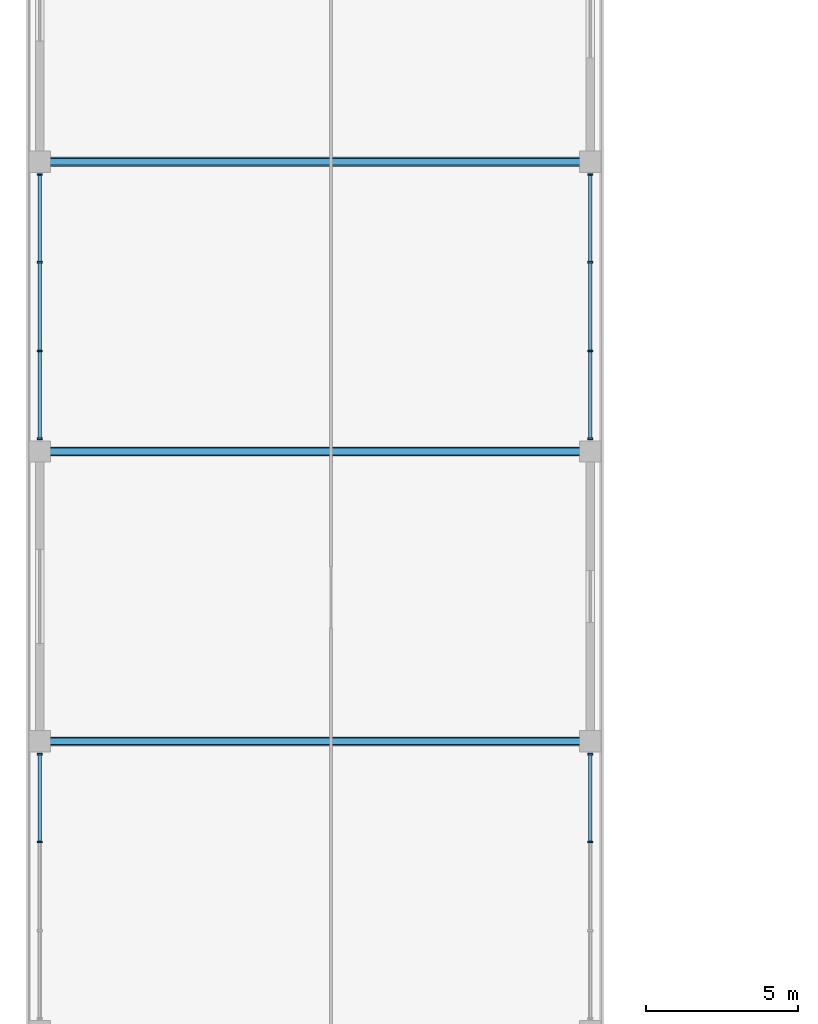
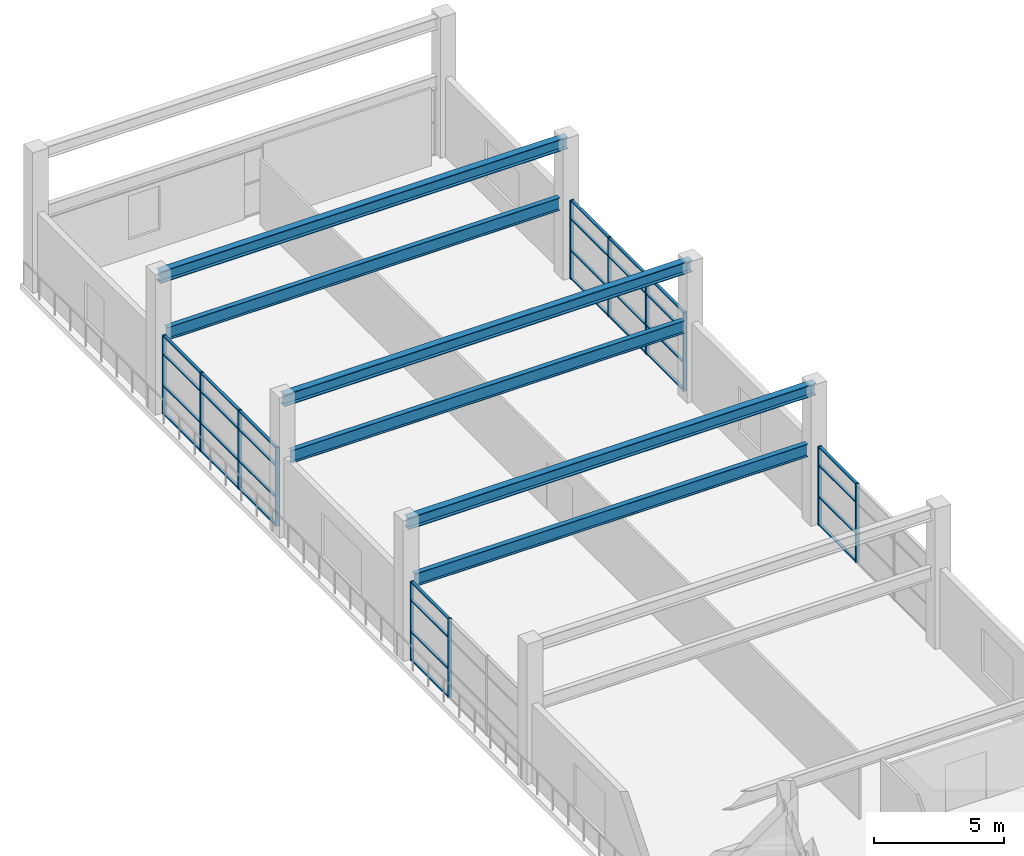
# One storey, part 33 of 72: 44 members, 6 beams, 4 elements without a shape of their own.
"""IFC4 building model written with IfcOpenShell, lengths in metres."""

from ifc_helpers import new_model, si_unit, direction, frame, origin, origin_2d, place, context, subcontext, project, spatial, rectangle, i_section, extrude, material, material_profile, profile_set, type_object, element, aggregate, save


model = new_model("IFC4")

# Units and contexts
model_context = context("Model", 3, precision=1e-05, world=origin(), true_north=direction((0.0, 1.0)))
body_context = subcontext(model_context, "Body", "Model", "MODEL_VIEW")
ifc_project = project(units=[si_unit("LENGTHUNIT", "METRE"), si_unit("AREAUNIT", "SQUARE_METRE"), si_unit("VOLUMEUNIT", "CUBIC_METRE"), si_unit("PLANEANGLEUNIT", "RADIAN"), si_unit("MASSUNIT", "GRAM", prefix="KILO")], contexts=[model_context])

# Site, building, storey
site_placement = place(None, origin())
site = spatial("IfcSite", under=ifc_project, at=site_placement, CompositionType="ELEMENT")
building_placement = place(site_placement, origin())
building = spatial("IfcBuilding", under=site, at=building_placement, Name="Saryqyr Civic Hall", CompositionType="ELEMENT")
storey_placement = place(building_placement, frame((0.0, 0.0, 17.25)))
storey = spatial("IfcBuildingStorey", under=building, at=storey_placement, Name="L04", CompositionType="ELEMENT", Elevation=17.25)

# Curtain wall, members
ifc_material_1 = material(Name="Anodised aluminium and triple low-E glass", Category="aluminium")
curtain_wall_type = type_object("IfcCurtainWallType", Name="ENV-CW-STD-55", PredefinedType="NOTDEFINED", material=ifc_material_1)
curtain_wall_1_placement = place(storey_placement, origin())
curtain_wall_1 = element("IfcCurtainWall", 1, at=curtain_wall_1_placement, inside=storey, type_object=curtain_wall_type, Name="Curtain wall V3-CW-L04-1-1", PredefinedType="NOTDEFINED")
ifc_material_2 = material(Name="Anodised aluminium", Category="aluminium")
ifc_material_profile_1 = material_profile(ifc_material_2, rectangle(XDim=0.06005859375, YDim=0.159912109375, at=origin_2d()), Name="ALU MULLION 60x160")
ifc_profile_set_1 = profile_set([ifc_material_profile_1], Name="Anodised aluminium")
member_type_1 = type_object("IfcMemberType", Name="ENV-CW-MUL-180", PredefinedType="MULLION", material=ifc_profile_set_1)
member_1_placement = place(storey_placement, frame((26.14990234375, 155.300048828125, 0.0), z_axis=(0.0, 0.0, 1.0), x_axis=(0.0, -1.0, 0.0)))
member_1 = element("IfcMember", 2, at=member_1_placement, type_object=member_type_1, Name="CW-55 mullion 1", PredefinedType="MULLION", context=body_context, shape_type="SweptSolid", body=[
    extrude(rectangle(XDim=0.06005859375, YDim=0.159912109375, at=origin_2d()), origin(), (0.0, 0.0, 1.0), 3.699951171875),
])
member_2_placement = place(storey_placement, frame((26.14990234375, 152.413330078125, 0.0), z_axis=(0.0, 0.0, 1.0), x_axis=(0.0, -1.0, 0.0)))
member_2 = element("IfcMember", 3, at=member_2_placement, type_object=member_type_1, Name="CW-55 mullion 2", PredefinedType="MULLION", context=body_context, shape_type="SweptSolid", body=[
    extrude(rectangle(XDim=0.06005859375, YDim=0.159912109375, at=origin_2d()), origin(), (0.0, 0.0, 1.0), 3.699951171875),
])
member_3_placement = place(storey_placement, frame((26.14990234375, 149.49658203125, 0.0), z_axis=(0.0, 0.0, 1.0), x_axis=(0.0, -1.0, 0.0)))
member_3 = element("IfcMember", 4, at=member_3_placement, type_object=member_type_1, Name="CW-55 mullion 3", PredefinedType="MULLION", context=body_context, shape_type="SweptSolid", body=[
    extrude(rectangle(XDim=0.06005859375, YDim=0.159912109375, at=origin_2d()), origin(), (0.0, 0.0, 1.0), 3.699951171875),
])
member_4_placement = place(storey_placement, frame((26.14990234375, 146.610107421875, 0.0), z_axis=(0.0, 0.0, 1.0), x_axis=(0.0, -1.0, 0.0)))
member_4 = element("IfcMember", 5, at=member_4_placement, type_object=member_type_1, Name="CW-55 mullion 4", PredefinedType="MULLION", context=body_context, shape_type="SweptSolid", body=[
    extrude(rectangle(XDim=0.06005859375, YDim=0.159912109375, at=origin_2d()), origin(), (0.0, 0.0, 1.0), 3.699951171875),
])

curtain_wall_2_placement = place(storey_placement, origin())
curtain_wall_2 = element("IfcCurtainWall", 6, at=curtain_wall_2_placement, inside=storey, type_object=curtain_wall_type, Name="Curtain wall V3-CW-L04-1-3", PredefinedType="NOTDEFINED")
member_5_placement = place(storey_placement, frame((26.14990234375, 136.239990234375, 0.0), z_axis=(0.0, 0.0, 1.0), x_axis=(0.0, -1.0, 0.0)))
member_5 = element("IfcMember", 7, at=member_5_placement, type_object=member_type_1, Name="CW-55 mullion 1", PredefinedType="MULLION", context=body_context, shape_type="SweptSolid", body=[
    extrude(rectangle(XDim=0.06005859375, YDim=0.159912109375, at=origin_2d()), origin(), (0.0, 0.0, 1.0), 3.699951171875),
])
member_6_placement = place(storey_placement, frame((26.14990234375, 133.353271484375, 0.0), z_axis=(0.0, 0.0, 1.0), x_axis=(0.0, -1.0, 0.0)))
member_6 = element("IfcMember", 8, at=member_6_placement, type_object=member_type_1, Name="CW-55 mullion 2", PredefinedType="MULLION", context=body_context, shape_type="SweptSolid", body=[
    extrude(rectangle(XDim=0.06005859375, YDim=0.159912109375, at=origin_2d()), origin(), (0.0, 0.0, 1.0), 3.699951171875),
])

curtain_wall_3_placement = place(storey_placement, origin())
curtain_wall_3 = element("IfcCurtainWall", 9, at=curtain_wall_3_placement, inside=storey, type_object=curtain_wall_type, Name="Curtain wall V3-CW-L04-3-3", PredefinedType="NOTDEFINED")
member_7_placement = place(storey_placement, frame((8.050048828125, 133.353271484375, 0.0), z_axis=(0.0, 0.0, 1.0), x_axis=(0.0, 1.0, 0.0)))
member_7 = element("IfcMember", 10, at=member_7_placement, type_object=member_type_1, Name="CW-55 mullion 3", PredefinedType="MULLION", context=body_context, shape_type="SweptSolid", body=[
    extrude(rectangle(XDim=0.06005859375, YDim=0.159912109375, at=origin_2d()), origin(), (0.0, 0.0, 1.0), 3.699951171875),
])
member_8_placement = place(storey_placement, frame((8.050048828125, 136.239990234375, 0.0), z_axis=(0.0, 0.0, 1.0), x_axis=(0.0, 1.0, 0.0)))
member_8 = element("IfcMember", 11, at=member_8_placement, type_object=member_type_1, Name="CW-55 mullion 4", PredefinedType="MULLION", context=body_context, shape_type="SweptSolid", body=[
    extrude(rectangle(XDim=0.06005859375, YDim=0.159912109375, at=origin_2d()), origin(), (0.0, 0.0, 1.0), 3.699951171875),
])

curtain_wall_4_placement = place(storey_placement, origin())
curtain_wall_4 = element("IfcCurtainWall", 12, at=curtain_wall_4_placement, inside=storey, type_object=curtain_wall_type, Name="Curtain wall V3-CW-L04-3-5", PredefinedType="NOTDEFINED")
member_9_placement = place(storey_placement, frame((8.050048828125, 146.610107421875, 0.0), z_axis=(0.0, 0.0, 1.0), x_axis=(0.0, 1.0, 0.0)))
member_9 = element("IfcMember", 13, at=member_9_placement, type_object=member_type_1, Name="CW-55 mullion 1", PredefinedType="MULLION", context=body_context, shape_type="SweptSolid", body=[
    extrude(rectangle(XDim=0.06005859375, YDim=0.159912109375, at=origin_2d()), origin(), (0.0, 0.0, 1.0), 3.699951171875),
])
member_10_placement = place(storey_placement, frame((8.050048828125, 149.49658203125, 0.0), z_axis=(0.0, 0.0, 1.0), x_axis=(0.0, 1.0, 0.0)))
member_10 = element("IfcMember", 14, at=member_10_placement, type_object=member_type_1, Name="CW-55 mullion 2", PredefinedType="MULLION", context=body_context, shape_type="SweptSolid", body=[
    extrude(rectangle(XDim=0.06005859375, YDim=0.159912109375, at=origin_2d()), origin(), (0.0, 0.0, 1.0), 3.699951171875),
])
member_11_placement = place(storey_placement, frame((8.050048828125, 152.413330078125, 0.0), z_axis=(0.0, 0.0, 1.0), x_axis=(0.0, 1.0, 0.0)))
member_11 = element("IfcMember", 15, at=member_11_placement, type_object=member_type_1, Name="CW-55 mullion 3", PredefinedType="MULLION", context=body_context, shape_type="SweptSolid", body=[
    extrude(rectangle(XDim=0.06005859375, YDim=0.159912109375, at=origin_2d()), origin(), (0.0, 0.0, 1.0), 3.699951171875),
])
member_12_placement = place(storey_placement, frame((8.050048828125, 155.300048828125, 0.0), z_axis=(0.0, 0.0, 1.0), x_axis=(0.0, 1.0, 0.0)))
member_12 = element("IfcMember", 16, at=member_12_placement, type_object=member_type_1, Name="CW-55 mullion 4", PredefinedType="MULLION", context=body_context, shape_type="SweptSolid", body=[
    extrude(rectangle(XDim=0.06005859375, YDim=0.159912109375, at=origin_2d()), origin(), (0.0, 0.0, 1.0), 3.699951171875),
])

# Member
ifc_material_profile_2 = material_profile(ifc_material_2, rectangle(XDim=0.1201171875, YDim=0.06005859375, at=origin_2d()), Name="ALU TRANSOM 120x60")
ifc_profile_set_2 = profile_set([ifc_material_profile_2], Name="Anodised aluminium")
member_type_2 = type_object("IfcMemberType", Name="ENV-CW-TRN-150", PredefinedType="USERDEFINED", material=ifc_profile_set_2)
member_13_placement = place(storey_placement, frame((26.14990234375, 155.27001953125, 0.030029296875), z_axis=(0.0, -1.0, 0.0), x_axis=(1.0, 0.0, 0.0)))
member_13 = element("IfcMember", 17, at=member_13_placement, type_object=member_type_2, Name="CW-55 transom 1.1", ObjectType="TRANSOM", PredefinedType="USERDEFINED", context=body_context, shape_type="SweptSolid", body=[
    extrude(rectangle(XDim=0.1201171875, YDim=0.06005859375, at=origin_2d()), origin(), (0.0, 0.0, 1.0), 2.82666015625),
])

member_14_placement = place(storey_placement, frame((26.14990234375, 155.27001953125, 1.33203125), z_axis=(0.0, -1.0, 0.0), x_axis=(1.0, 0.0, 0.0)))
member_14 = element("IfcMember", 18, at=member_14_placement, type_object=member_type_2, Name="CW-55 transom 1.2", ObjectType="TRANSOM", PredefinedType="USERDEFINED", context=body_context, shape_type="SweptSolid", body=[
    extrude(rectangle(XDim=0.1201171875, YDim=0.06005859375, at=origin_2d()), origin(), (0.0, 0.0, 1.0), 2.82666015625),
])

member_15_placement = place(storey_placement, frame((26.14990234375, 155.27001953125, 2.81201171875), z_axis=(0.0, -1.0, 0.0), x_axis=(1.0, 0.0, 0.0)))
member_15 = element("IfcMember", 19, at=member_15_placement, type_object=member_type_2, Name="CW-55 transom 1.3", ObjectType="TRANSOM", PredefinedType="USERDEFINED", context=body_context, shape_type="SweptSolid", body=[
    extrude(rectangle(XDim=0.1201171875, YDim=0.06005859375, at=origin_2d()), origin(), (0.0, 0.0, 1.0), 2.82666015625),
])

member_16_placement = place(storey_placement, frame((26.14990234375, 155.27001953125, 3.669921875), z_axis=(0.0, -1.0, 0.0), x_axis=(1.0, 0.0, 0.0)))
member_16 = element("IfcMember", 20, at=member_16_placement, type_object=member_type_2, Name="CW-55 transom 1.4", ObjectType="TRANSOM", PredefinedType="USERDEFINED", context=body_context, shape_type="SweptSolid", body=[
    extrude(rectangle(XDim=0.1201171875, YDim=0.06005859375, at=origin_2d()), origin(), (0.0, 0.0, 1.0), 2.82666015625),
])

member_17_placement = place(storey_placement, frame((26.14990234375, 152.38330078125, 0.030029296875), z_axis=(0.0, -1.0, 0.0), x_axis=(1.0, 0.0, 0.0)))
member_17 = element("IfcMember", 21, at=member_17_placement, type_object=member_type_2, Name="CW-55 transom 2.1", ObjectType="TRANSOM", PredefinedType="USERDEFINED", context=body_context, shape_type="SweptSolid", body=[
    extrude(rectangle(XDim=0.1201171875, YDim=0.06005859375, at=origin_2d()), origin(), (0.0, 0.0, 1.0), 2.856689453125),
])

member_18_placement = place(storey_placement, frame((26.14990234375, 152.38330078125, 1.33203125), z_axis=(0.0, -1.0, 0.0), x_axis=(1.0, 0.0, 0.0)))
member_18 = element("IfcMember", 22, at=member_18_placement, type_object=member_type_2, Name="CW-55 transom 2.2", ObjectType="TRANSOM", PredefinedType="USERDEFINED", context=body_context, shape_type="SweptSolid", body=[
    extrude(rectangle(XDim=0.1201171875, YDim=0.06005859375, at=origin_2d()), origin(), (0.0, 0.0, 1.0), 2.856689453125),
])

member_19_placement = place(storey_placement, frame((26.14990234375, 152.38330078125, 2.81201171875), z_axis=(0.0, -1.0, 0.0), x_axis=(1.0, 0.0, 0.0)))
member_19 = element("IfcMember", 23, at=member_19_placement, type_object=member_type_2, Name="CW-55 transom 2.3", ObjectType="TRANSOM", PredefinedType="USERDEFINED", context=body_context, shape_type="SweptSolid", body=[
    extrude(rectangle(XDim=0.1201171875, YDim=0.06005859375, at=origin_2d()), origin(), (0.0, 0.0, 1.0), 2.856689453125),
])

member_20_placement = place(storey_placement, frame((26.14990234375, 152.38330078125, 3.669921875), z_axis=(0.0, -1.0, 0.0), x_axis=(1.0, 0.0, 0.0)))
member_20 = element("IfcMember", 24, at=member_20_placement, type_object=member_type_2, Name="CW-55 transom 2.4", ObjectType="TRANSOM", PredefinedType="USERDEFINED", context=body_context, shape_type="SweptSolid", body=[
    extrude(rectangle(XDim=0.1201171875, YDim=0.06005859375, at=origin_2d()), origin(), (0.0, 0.0, 1.0), 2.856689453125),
])

member_21_placement = place(storey_placement, frame((26.14990234375, 149.466552734375, 0.030029296875), z_axis=(0.0, -1.0, 0.0), x_axis=(1.0, 0.0, 0.0)))
member_21 = element("IfcMember", 25, at=member_21_placement, type_object=member_type_2, Name="CW-55 transom 3.1", ObjectType="TRANSOM", PredefinedType="USERDEFINED", context=body_context, shape_type="SweptSolid", body=[
    extrude(rectangle(XDim=0.1201171875, YDim=0.06005859375, at=origin_2d()), origin(), (0.0, 0.0, 1.0), 2.82666015625),
])

member_22_placement = place(storey_placement, frame((26.14990234375, 149.466552734375, 1.33203125), z_axis=(0.0, -1.0, 0.0), x_axis=(1.0, 0.0, 0.0)))
member_22 = element("IfcMember", 26, at=member_22_placement, type_object=member_type_2, Name="CW-55 transom 3.2", ObjectType="TRANSOM", PredefinedType="USERDEFINED", context=body_context, shape_type="SweptSolid", body=[
    extrude(rectangle(XDim=0.1201171875, YDim=0.06005859375, at=origin_2d()), origin(), (0.0, 0.0, 1.0), 2.82666015625),
])

member_23_placement = place(storey_placement, frame((26.14990234375, 149.466552734375, 2.81201171875), z_axis=(0.0, -1.0, 0.0), x_axis=(1.0, 0.0, 0.0)))
member_23 = element("IfcMember", 27, at=member_23_placement, type_object=member_type_2, Name="CW-55 transom 3.3", ObjectType="TRANSOM", PredefinedType="USERDEFINED", context=body_context, shape_type="SweptSolid", body=[
    extrude(rectangle(XDim=0.1201171875, YDim=0.06005859375, at=origin_2d()), origin(), (0.0, 0.0, 1.0), 2.82666015625),
])

member_24_placement = place(storey_placement, frame((26.14990234375, 149.466552734375, 3.669921875), z_axis=(0.0, -1.0, 0.0), x_axis=(1.0, 0.0, 0.0)))
member_24 = element("IfcMember", 28, at=member_24_placement, type_object=member_type_2, Name="CW-55 transom 3.4", ObjectType="TRANSOM", PredefinedType="USERDEFINED", context=body_context, shape_type="SweptSolid", body=[
    extrude(rectangle(XDim=0.1201171875, YDim=0.06005859375, at=origin_2d()), origin(), (0.0, 0.0, 1.0), 2.82666015625),
])

aggregate(curtain_wall_1, [member_1, member_2, member_3, member_4, member_13, member_14, member_15, member_16, member_17, member_18, member_19, member_20, member_21, member_22, member_23, member_24])

member_25_placement = place(storey_placement, frame((26.14990234375, 136.2099609375, 0.030029296875), z_axis=(0.0, -1.0, 0.0), x_axis=(1.0, 0.0, 0.0)))
member_25 = element("IfcMember", 29, at=member_25_placement, type_object=member_type_2, Name="CW-55 transom 1.1", ObjectType="TRANSOM", PredefinedType="USERDEFINED", context=body_context, shape_type="SweptSolid", body=[
    extrude(rectangle(XDim=0.1201171875, YDim=0.06005859375, at=origin_2d()), origin(), (0.0, 0.0, 1.0), 2.82666015625),
])

member_26_placement = place(storey_placement, frame((26.14990234375, 136.2099609375, 1.33203125), z_axis=(0.0, -1.0, 0.0), x_axis=(1.0, 0.0, 0.0)))
member_26 = element("IfcMember", 30, at=member_26_placement, type_object=member_type_2, Name="CW-55 transom 1.2", ObjectType="TRANSOM", PredefinedType="USERDEFINED", context=body_context, shape_type="SweptSolid", body=[
    extrude(rectangle(XDim=0.1201171875, YDim=0.06005859375, at=origin_2d()), origin(), (0.0, 0.0, 1.0), 2.82666015625),
])

member_27_placement = place(storey_placement, frame((26.14990234375, 136.2099609375, 2.81201171875), z_axis=(0.0, -1.0, 0.0), x_axis=(1.0, 0.0, 0.0)))
member_27 = element("IfcMember", 31, at=member_27_placement, type_object=member_type_2, Name="CW-55 transom 1.3", ObjectType="TRANSOM", PredefinedType="USERDEFINED", context=body_context, shape_type="SweptSolid", body=[
    extrude(rectangle(XDim=0.1201171875, YDim=0.06005859375, at=origin_2d()), origin(), (0.0, 0.0, 1.0), 2.82666015625),
])

member_28_placement = place(storey_placement, frame((26.14990234375, 136.2099609375, 3.669921875), z_axis=(0.0, -1.0, 0.0), x_axis=(1.0, 0.0, 0.0)))
member_28 = element("IfcMember", 32, at=member_28_placement, type_object=member_type_2, Name="CW-55 transom 1.4", ObjectType="TRANSOM", PredefinedType="USERDEFINED", context=body_context, shape_type="SweptSolid", body=[
    extrude(rectangle(XDim=0.1201171875, YDim=0.06005859375, at=origin_2d()), origin(), (0.0, 0.0, 1.0), 2.82666015625),
])

aggregate(curtain_wall_2, [member_5, member_6, member_25, member_26, member_27, member_28])

member_29_placement = place(storey_placement, frame((8.050048828125, 133.38330078125, 0.030029296875), z_axis=(0.0, 1.0, 0.0), x_axis=(-1.0, 0.0, 0.0)))
member_29 = element("IfcMember", 33, at=member_29_placement, type_object=member_type_2, Name="CW-55 transom 3.1", ObjectType="TRANSOM", PredefinedType="USERDEFINED", context=body_context, shape_type="SweptSolid", body=[
    extrude(rectangle(XDim=0.1201171875, YDim=0.06005859375, at=origin_2d()), origin(), (0.0, 0.0, 1.0), 2.82666015625),
])

member_30_placement = place(storey_placement, frame((8.050048828125, 133.38330078125, 1.33203125), z_axis=(0.0, 1.0, 0.0), x_axis=(-1.0, 0.0, 0.0)))
member_30 = element("IfcMember", 34, at=member_30_placement, type_object=member_type_2, Name="CW-55 transom 3.2", ObjectType="TRANSOM", PredefinedType="USERDEFINED", context=body_context, shape_type="SweptSolid", body=[
    extrude(rectangle(XDim=0.1201171875, YDim=0.06005859375, at=origin_2d()), origin(), (0.0, 0.0, 1.0), 2.82666015625),
])

member_31_placement = place(storey_placement, frame((8.050048828125, 133.38330078125, 2.81201171875), z_axis=(0.0, 1.0, 0.0), x_axis=(-1.0, 0.0, 0.0)))
member_31 = element("IfcMember", 35, at=member_31_placement, type_object=member_type_2, Name="CW-55 transom 3.3", ObjectType="TRANSOM", PredefinedType="USERDEFINED", context=body_context, shape_type="SweptSolid", body=[
    extrude(rectangle(XDim=0.1201171875, YDim=0.06005859375, at=origin_2d()), origin(), (0.0, 0.0, 1.0), 2.82666015625),
])

member_32_placement = place(storey_placement, frame((8.050048828125, 133.38330078125, 3.669921875), z_axis=(0.0, 1.0, 0.0), x_axis=(-1.0, 0.0, 0.0)))
member_32 = element("IfcMember", 36, at=member_32_placement, type_object=member_type_2, Name="CW-55 transom 3.4", ObjectType="TRANSOM", PredefinedType="USERDEFINED", context=body_context, shape_type="SweptSolid", body=[
    extrude(rectangle(XDim=0.1201171875, YDim=0.06005859375, at=origin_2d()), origin(), (0.0, 0.0, 1.0), 2.82666015625),
])

aggregate(curtain_wall_3, [member_7, member_8, member_29, member_30, member_31, member_32])

member_33_placement = place(storey_placement, frame((8.050048828125, 146.639892578125, 0.030029296875), z_axis=(0.0, 1.0, 0.0), x_axis=(-1.0, 0.0, 0.0)))
member_33 = element("IfcMember", 37, at=member_33_placement, type_object=member_type_2, Name="CW-55 transom 1.1", ObjectType="TRANSOM", PredefinedType="USERDEFINED", context=body_context, shape_type="SweptSolid", body=[
    extrude(rectangle(XDim=0.1201171875, YDim=0.06005859375, at=origin_2d()), origin(), (0.0, 0.0, 1.0), 2.82666015625),
])

member_34_placement = place(storey_placement, frame((8.050048828125, 146.639892578125, 1.33203125), z_axis=(0.0, 1.0, 0.0), x_axis=(-1.0, 0.0, 0.0)))
member_34 = element("IfcMember", 38, at=member_34_placement, type_object=member_type_2, Name="CW-55 transom 1.2", ObjectType="TRANSOM", PredefinedType="USERDEFINED", context=body_context, shape_type="SweptSolid", body=[
    extrude(rectangle(XDim=0.1201171875, YDim=0.06005859375, at=origin_2d()), origin(), (0.0, 0.0, 1.0), 2.82666015625),
])

member_35_placement = place(storey_placement, frame((8.050048828125, 146.639892578125, 2.81201171875), z_axis=(0.0, 1.0, 0.0), x_axis=(-1.0, 0.0, 0.0)))
member_35 = element("IfcMember", 39, at=member_35_placement, type_object=member_type_2, Name="CW-55 transom 1.3", ObjectType="TRANSOM", PredefinedType="USERDEFINED", context=body_context, shape_type="SweptSolid", body=[
    extrude(rectangle(XDim=0.1201171875, YDim=0.06005859375, at=origin_2d()), origin(), (0.0, 0.0, 1.0), 2.82666015625),
])

member_36_placement = place(storey_placement, frame((8.050048828125, 146.639892578125, 3.669921875), z_axis=(0.0, 1.0, 0.0), x_axis=(-1.0, 0.0, 0.0)))
member_36 = element("IfcMember", 40, at=member_36_placement, type_object=member_type_2, Name="CW-55 transom 1.4", ObjectType="TRANSOM", PredefinedType="USERDEFINED", context=body_context, shape_type="SweptSolid", body=[
    extrude(rectangle(XDim=0.1201171875, YDim=0.06005859375, at=origin_2d()), origin(), (0.0, 0.0, 1.0), 2.82666015625),
])

member_37_placement = place(storey_placement, frame((8.050048828125, 149.526611328125, 0.030029296875), z_axis=(0.0, 1.0, 0.0), x_axis=(-1.0, 0.0, 0.0)))
member_37 = element("IfcMember", 41, at=member_37_placement, type_object=member_type_2, Name="CW-55 transom 2.1", ObjectType="TRANSOM", PredefinedType="USERDEFINED", context=body_context, shape_type="SweptSolid", body=[
    extrude(rectangle(XDim=0.1201171875, YDim=0.06005859375, at=origin_2d()), origin(), (0.0, 0.0, 1.0), 2.856689453125),
])

member_38_placement = place(storey_placement, frame((8.050048828125, 149.526611328125, 1.33203125), z_axis=(0.0, 1.0, 0.0), x_axis=(-1.0, 0.0, 0.0)))
member_38 = element("IfcMember", 42, at=member_38_placement, type_object=member_type_2, Name="CW-55 transom 2.2", ObjectType="TRANSOM", PredefinedType="USERDEFINED", context=body_context, shape_type="SweptSolid", body=[
    extrude(rectangle(XDim=0.1201171875, YDim=0.06005859375, at=origin_2d()), origin(), (0.0, 0.0, 1.0), 2.856689453125),
])

member_39_placement = place(storey_placement, frame((8.050048828125, 149.526611328125, 2.81201171875), z_axis=(0.0, 1.0, 0.0), x_axis=(-1.0, 0.0, 0.0)))
member_39 = element("IfcMember", 43, at=member_39_placement, type_object=member_type_2, Name="CW-55 transom 2.3", ObjectType="TRANSOM", PredefinedType="USERDEFINED", context=body_context, shape_type="SweptSolid", body=[
    extrude(rectangle(XDim=0.1201171875, YDim=0.06005859375, at=origin_2d()), origin(), (0.0, 0.0, 1.0), 2.856689453125),
])

member_40_placement = place(storey_placement, frame((8.050048828125, 149.526611328125, 3.669921875), z_axis=(0.0, 1.0, 0.0), x_axis=(-1.0, 0.0, 0.0)))
member_40 = element("IfcMember", 44, at=member_40_placement, type_object=member_type_2, Name="CW-55 transom 2.4", ObjectType="TRANSOM", PredefinedType="USERDEFINED", context=body_context, shape_type="SweptSolid", body=[
    extrude(rectangle(XDim=0.1201171875, YDim=0.06005859375, at=origin_2d()), origin(), (0.0, 0.0, 1.0), 2.856689453125),
])

member_41_placement = place(storey_placement, frame((8.050048828125, 152.443359375, 0.030029296875), z_axis=(0.0, 1.0, 0.0), x_axis=(-1.0, 0.0, 0.0)))
member_41 = element("IfcMember", 45, at=member_41_placement, type_object=member_type_2, Name="CW-55 transom 3.1", ObjectType="TRANSOM", PredefinedType="USERDEFINED", context=body_context, shape_type="SweptSolid", body=[
    extrude(rectangle(XDim=0.1201171875, YDim=0.06005859375, at=origin_2d()), origin(), (0.0, 0.0, 1.0), 2.82666015625),
])

member_42_placement = place(storey_placement, frame((8.050048828125, 152.443359375, 1.33203125), z_axis=(0.0, 1.0, 0.0), x_axis=(-1.0, 0.0, 0.0)))
member_42 = element("IfcMember", 46, at=member_42_placement, type_object=member_type_2, Name="CW-55 transom 3.2", ObjectType="TRANSOM", PredefinedType="USERDEFINED", context=body_context, shape_type="SweptSolid", body=[
    extrude(rectangle(XDim=0.1201171875, YDim=0.06005859375, at=origin_2d()), origin(), (0.0, 0.0, 1.0), 2.82666015625),
])

member_43_placement = place(storey_placement, frame((8.050048828125, 152.443359375, 2.81201171875), z_axis=(0.0, 1.0, 0.0), x_axis=(-1.0, 0.0, 0.0)))
member_43 = element("IfcMember", 47, at=member_43_placement, type_object=member_type_2, Name="CW-55 transom 3.3", ObjectType="TRANSOM", PredefinedType="USERDEFINED", context=body_context, shape_type="SweptSolid", body=[
    extrude(rectangle(XDim=0.1201171875, YDim=0.06005859375, at=origin_2d()), origin(), (0.0, 0.0, 1.0), 2.82666015625),
])

member_44_placement = place(storey_placement, frame((8.050048828125, 152.443359375, 3.669921875), z_axis=(0.0, 1.0, 0.0), x_axis=(-1.0, 0.0, 0.0)))
member_44 = element("IfcMember", 48, at=member_44_placement, type_object=member_type_2, Name="CW-55 transom 3.4", ObjectType="TRANSOM", PredefinedType="USERDEFINED", context=body_context, shape_type="SweptSolid", body=[
    extrude(rectangle(XDim=0.1201171875, YDim=0.06005859375, at=origin_2d()), origin(), (0.0, 0.0, 1.0), 2.82666015625),
])

aggregate(curtain_wall_4, [member_9, member_10, member_11, member_12, member_33, member_34, member_35, member_36, member_37, member_38, member_39, member_40, member_41, member_42, member_43, member_44])

# Beams
ifc_material_3 = material(Name="Steel S355", Category="steel")
ifc_material_profile_3 = material_profile(ifc_material_3, i_section(OverallWidth=0.300048828125, OverallDepth=0.550048828125, WebThickness=0.014892578125, FlangeThickness=0.029052734375, at=origin_2d()), Name="HEB 550")
ifc_profile_set_3 = profile_set([ifc_material_profile_3], Name="Steel S355")
beam_type_1 = type_object("IfcBeamType", Name="STR-BM-HEB550", PredefinedType="BEAM", material=ifc_profile_set_3)
for number, where, z_axis, x_axis, name in (
    (49, (8.050048828125, 136.659912109375, 6.2099609375), (1.0, 0.0, 0.0), (0.0, 1.0, 0.0), "Reading Hall sawtooth ridge girder 3"),
    (50, (8.050048828125, 146.18994140625, 6.2099609375), (1.0, 0.0, 0.0), (0.0, 1.0, 0.0), "Reading Hall sawtooth ridge girder 4"),
    (51, (8.050048828125, 155.719970703125, 6.2099609375), (1.0, 0.0, 0.0), (0.0, 1.0, 0.0), "Reading Hall sawtooth ridge girder 5"),
):
    element("IfcBeam", number, at=place(storey_placement, frame(where, z_axis=z_axis, x_axis=x_axis)), inside=storey, type_object=beam_type_1, Name=name, PredefinedType="BEAM", context=body_context, shape_type="SweptSolid", body=[
        extrude(i_section(OverallWidth=0.300048828125, OverallDepth=0.550048828125, WebThickness=0.014892578125, FlangeThickness=0.029052734375, at=origin_2d()), origin(), (0.0, 0.0, 1.0), 18.099853515625),
    ])
ifc_material_profile_4 = material_profile(ifc_material_3, i_section(OverallWidth=0.219970703125, OverallDepth=0.60009765625, WebThickness=0.011962890625, FlangeThickness=0.01904296875, at=origin_2d()), Name="IPE 600")
ifc_profile_set_4 = profile_set([ifc_material_profile_4], Name="Steel S355")
beam_type_2 = type_object("IfcBeamType", Name="STR-BM-IPE600", PredefinedType="BEAM", material=ifc_profile_set_4)
for number, where, z_axis, x_axis, name in (
    (52, (8.375, 136.659912109375, 3.429931640625), (1.0, 0.0, 0.0), (0.0, 1.0, 0.0), "Beam V3-SAW-VGB-3"),
    (53, (8.375, 146.18994140625, 3.429931640625), (1.0, 0.0, 0.0), (0.0, 1.0, 0.0), "Beam V3-SAW-VGB-4"),
    (54, (8.375, 155.719970703125, 3.429931640625), (1.0, 0.0, 0.0), (0.0, 1.0, 0.0), "Beam V3-SAW-VGB-5"),
):
    element("IfcBeam", number, at=place(storey_placement, frame(where, z_axis=z_axis, x_axis=x_axis)), inside=storey, type_object=beam_type_2, Name=name, PredefinedType="BEAM", context=body_context, shape_type="SweptSolid", body=[
        extrude(i_section(OverallWidth=0.219970703125, OverallDepth=0.60009765625, WebThickness=0.011962890625, FlangeThickness=0.01904296875, at=origin_2d()), origin(), (0.0, 0.0, 1.0), 17.449951171875),
    ])

save(model, "model.ifc")
